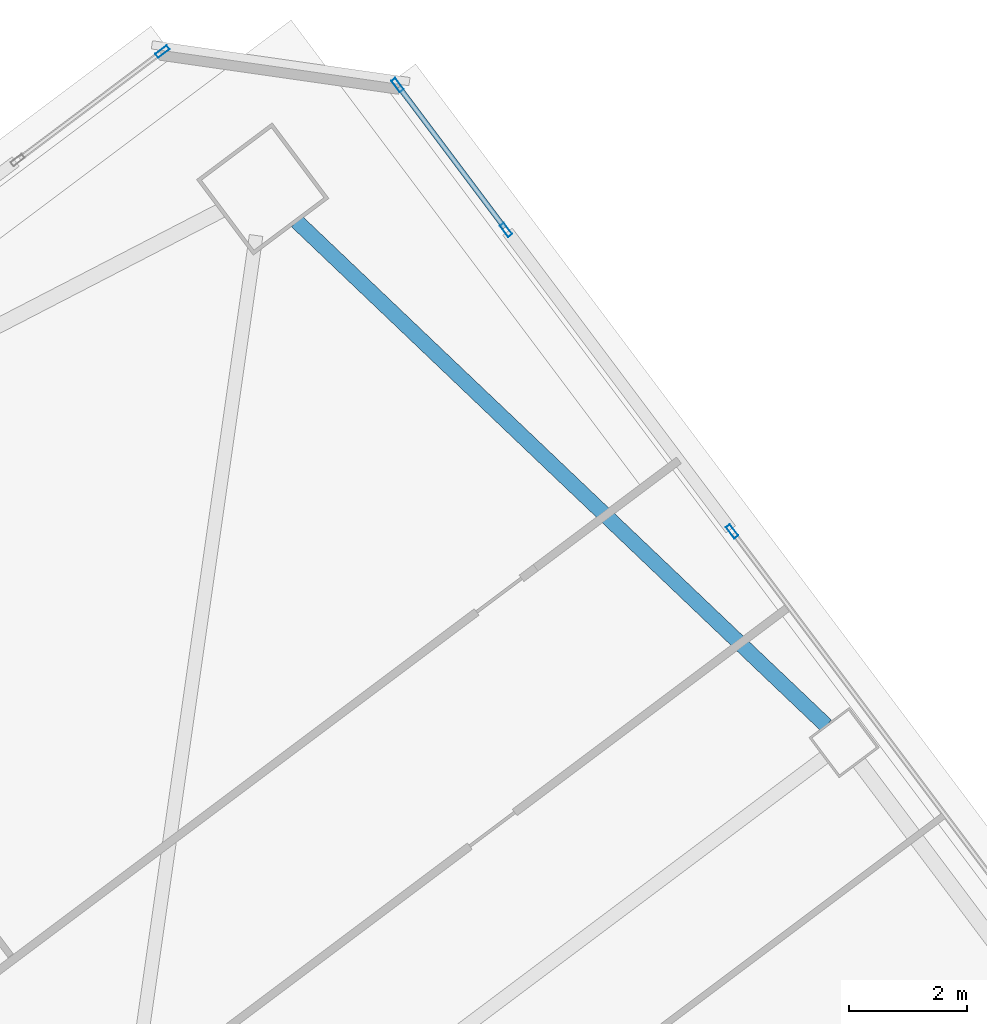
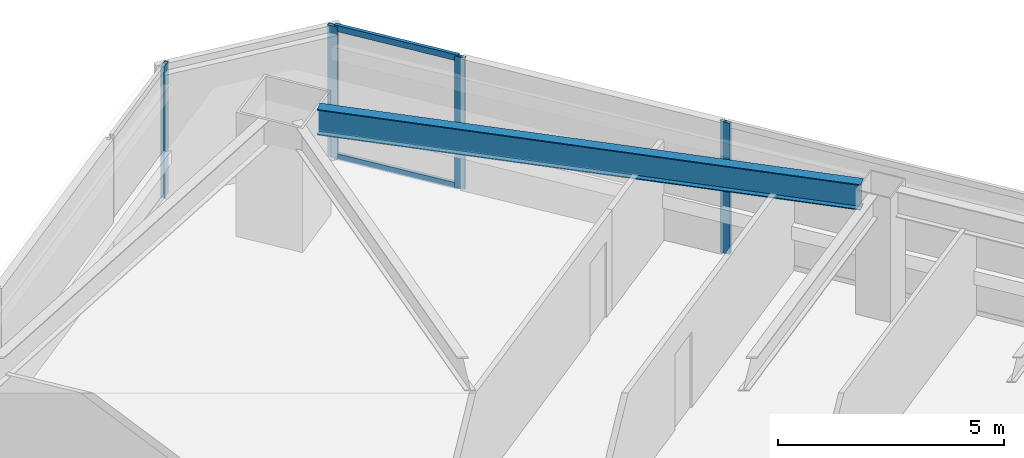
# One storey, part 35 of 48: 6 members, 1 beam, 3 elements without a shape of their own.
"""IFC4 building model written with IfcOpenShell, lengths in metres."""

from ifc_helpers import new_model, si_unit, direction, frame, origin, origin_2d, place, context, subcontext, project, spatial, hollow_rectangle, i_section, extrude, material, material_profile, profile_set, type_object, element, aggregate, save


model = new_model("IFC4")

# Units and contexts
model_context = context("Model", 3, precision=1e-05, world=origin(), true_north=direction((0.0, 1.0)))
body_context = subcontext(model_context, "Body", "Model", "MODEL_VIEW")
ifc_project = project(units=[si_unit("LENGTHUNIT", "METRE"), si_unit("AREAUNIT", "SQUARE_METRE"), si_unit("VOLUMEUNIT", "CUBIC_METRE"), si_unit("PLANEANGLEUNIT", "RADIAN"), si_unit("MASSUNIT", "GRAM", prefix="KILO")], contexts=[model_context])

# Site, building, storey
site_placement = place(None, origin())
site = spatial("IfcSite", under=ifc_project, at=site_placement, CompositionType="ELEMENT")
building_placement = place(site_placement, origin())
building = spatial("IfcBuilding", under=site, at=building_placement, Name="Tashvorn Skyway Center", CompositionType="ELEMENT")
storey_placement = place(building_placement, frame((0.0, 0.0, 53.0)))
storey = spatial("IfcBuildingStorey", under=building, at=storey_placement, Name="L13", CompositionType="ELEMENT", Elevation=53.0)

# Beam
ifc_material_1 = material(Name="Steel ASTM A992 Grade 50", Category="steel")
ifc_material_profile_1 = material_profile(ifc_material_1, i_section(OverallWidth=0.256103515625, OverallDepth=0.693115234375, WebThickness=0.014404296875, FlangeThickness=0.023681640625, at=origin_2d()), Name="W27X114")
ifc_profile_set_1 = profile_set([ifc_material_profile_1], Name="Steel ASTM A992 Grade 50")
beam_type = type_object("IfcBeamType", Name="BM-SPANDREL-W27X114", PredefinedType="SPANDREL", material=ifc_profile_set_1)
beam_placement = place(storey_placement, frame((127.2958984375, 49.23974609375, 3.00341796875), z_axis=(-0.724200339835, 0.689589637236, 0.0), x_axis=(-0.689589637236, -0.724200339835, 0.0)))
element("IfcBeam", 1, at=beam_placement, inside=storey, type_object=beam_type, Name="Tower 2 L13 Spandrel Beam 06", PredefinedType="SPANDREL", context=body_context, shape_type="SweptSolid", body=[
    extrude(i_section(OverallWidth=0.256103515625, OverallDepth=0.693115234375, WebThickness=0.014404296875, FlangeThickness=0.023681640625, at=origin_2d()), origin(), (0.0, 0.0, 1.0), 12.37255859375),
])

# Curtain wall, member
ifc_material_2 = material(Name="Thermally broken bronze-anodized aluminium 6063-T6", Category="aluminium")
curtain_wall_type = type_object("IfcCurtainWallType", Name="CW-CW-Z1", PredefinedType="NOTDEFINED", material=ifc_material_2)
curtain_wall_1_placement = place(storey_placement, origin())
curtain_wall_1 = element("IfcCurtainWall", 2, at=curtain_wall_1_placement, inside=storey, type_object=curtain_wall_type, Name="Tower 2 L13 North Unitised Curtain Wall Glazing Group 3", PredefinedType="NOTDEFINED")
ifc_material_profile_2 = material_profile(ifc_material_2, hollow_rectangle(XDim=0.0849609375, YDim=0.239990234375, WallThickness=0.0048828125, at=origin_2d()), Name="ALU-MULL-85x240")
ifc_profile_set_2 = profile_set([ifc_material_profile_2], Name="Thermally broken bronze-anodized aluminium 6063-T6")
member_type_1 = type_object("IfcMemberType", Name="CWM-CW-Z1", PredefinedType="MULLION", material=ifc_profile_set_2)
member_1_placement = place(storey_placement, frame((116.06201171875, 60.646484375, 0.0), z_axis=(0.0, 0.0, 1.0), x_axis=(-0.600005084776, 0.799996186392, 0.0)))
member_1 = element("IfcMember", 3, at=member_1_placement, type_object=member_type_1, Name="CW-Z1 mullion 2", PredefinedType="MULLION", context=body_context, shape_type="SweptSolid", body=[
    extrude(hollow_rectangle(XDim=0.0849609375, YDim=0.239990234375, WallThickness=0.0048828125, at=origin_2d()), origin(), (0.0, 0.0, 1.0), 3.550048828125),
])
aggregate(curtain_wall_1, [member_1])

# Curtain wall, members
curtain_wall_2_placement = place(storey_placement, origin())
curtain_wall_2 = element("IfcCurtainWall", 4, at=curtain_wall_2_placement, inside=storey, type_object=curtain_wall_type, Name="Tower 2 L13 East Unitised Curtain Wall Glazing Group 1", PredefinedType="NOTDEFINED")
member_2_placement = place(storey_placement, frame((120.04150390625, 60.077880859375, 0.0), z_axis=(0.0, 0.0, 1.0), x_axis=(0.799996186392, 0.600005084776, 0.0)))
member_2 = element("IfcMember", 5, at=member_2_placement, type_object=member_type_1, Name="CW-Z1 mullion 1", PredefinedType="MULLION", context=body_context, shape_type="SweptSolid", body=[
    extrude(hollow_rectangle(XDim=0.0849609375, YDim=0.239990234375, WallThickness=0.0048828125, at=origin_2d()), origin(), (0.0, 0.0, 1.0), 3.550048828125),
])
member_3_placement = place(storey_placement, frame((121.87841796875, 57.628662109375, 0.0), z_axis=(0.0, 0.0, 1.0), x_axis=(0.799996186392, 0.600005084776, 0.0)))
member_3 = element("IfcMember", 6, at=member_3_placement, type_object=member_type_1, Name="CW-Z1 mullion 2", PredefinedType="MULLION", context=body_context, shape_type="SweptSolid", body=[
    extrude(hollow_rectangle(XDim=0.0849609375, YDim=0.239990234375, WallThickness=0.0048828125, at=origin_2d()), origin(), (0.0, 0.0, 1.0), 3.550048828125),
])

# Curtain wall, member
curtain_wall_3_placement = place(storey_placement, origin())
curtain_wall_3 = element("IfcCurtainWall", 7, at=curtain_wall_3_placement, inside=storey, type_object=curtain_wall_type, Name="Tower 2 L13 East Unitised Curtain Wall Glazing Group 2", PredefinedType="NOTDEFINED")
member_4_placement = place(storey_placement, frame((125.70556640625, 52.52587890625, 0.0), z_axis=(0.0, 0.0, 1.0), x_axis=(0.799999999998, 0.600000000002, 0.0)))
member_4 = element("IfcMember", 8, at=member_4_placement, type_object=member_type_1, Name="CW-Z1 mullion 1", PredefinedType="MULLION", context=body_context, shape_type="SweptSolid", body=[
    extrude(hollow_rectangle(XDim=0.0849609375, YDim=0.239990234375, WallThickness=0.0048828125, at=origin_2d()), origin(), (0.0, 0.0, 1.0), 3.550048828125),
])
aggregate(curtain_wall_3, [member_4])

# Member
ifc_material_profile_3 = material_profile(ifc_material_2, hollow_rectangle(XDim=0.0849609375, YDim=0.1650390625, WallThickness=0.0048828125, at=origin_2d()), Name="ALU-TRAN-85x165")
ifc_profile_set_3 = profile_set([ifc_material_profile_3], Name="Thermally broken bronze-anodized aluminium 6063-T6")
member_type_2 = type_object("IfcMemberType", Name="CWT-CW-Z1", PredefinedType="USERDEFINED", material=ifc_profile_set_3)
member_5_placement = place(storey_placement, frame((120.06689453125, 60.0439453125, 0.04248046875), z_axis=(0.600026244674, -0.799980315822, 0.0), x_axis=(0.799980315822, 0.600026244674, 0.0)))
member_5 = element("IfcMember", 9, at=member_5_placement, type_object=member_type_2, Name="CW-Z1 transom 1.1", ObjectType="TRANSOM", PredefinedType="USERDEFINED", context=body_context, shape_type="SweptSolid", body=[
    extrude(hollow_rectangle(XDim=0.0849609375, YDim=0.1650390625, WallThickness=0.0048828125, at=origin_2d()), origin(), (0.0, 0.0, 1.0), 2.976806640625),
])

member_6_placement = place(storey_placement, frame((120.06689453125, 60.0439453125, 3.507568359375), z_axis=(0.600026244674, -0.799980315822, 0.0), x_axis=(0.799980315822, 0.600026244674, 0.0)))
member_6 = element("IfcMember", 10, at=member_6_placement, type_object=member_type_2, Name="CW-Z1 transom 1.2", ObjectType="TRANSOM", PredefinedType="USERDEFINED", context=body_context, shape_type="SweptSolid", body=[
    extrude(hollow_rectangle(XDim=0.0849609375, YDim=0.1650390625, WallThickness=0.0048828125, at=origin_2d()), origin(), (0.0, 0.0, 1.0), 2.976806640625),
])

aggregate(curtain_wall_2, [member_2, member_3, member_5, member_6])

save(model, "model.ifc")
